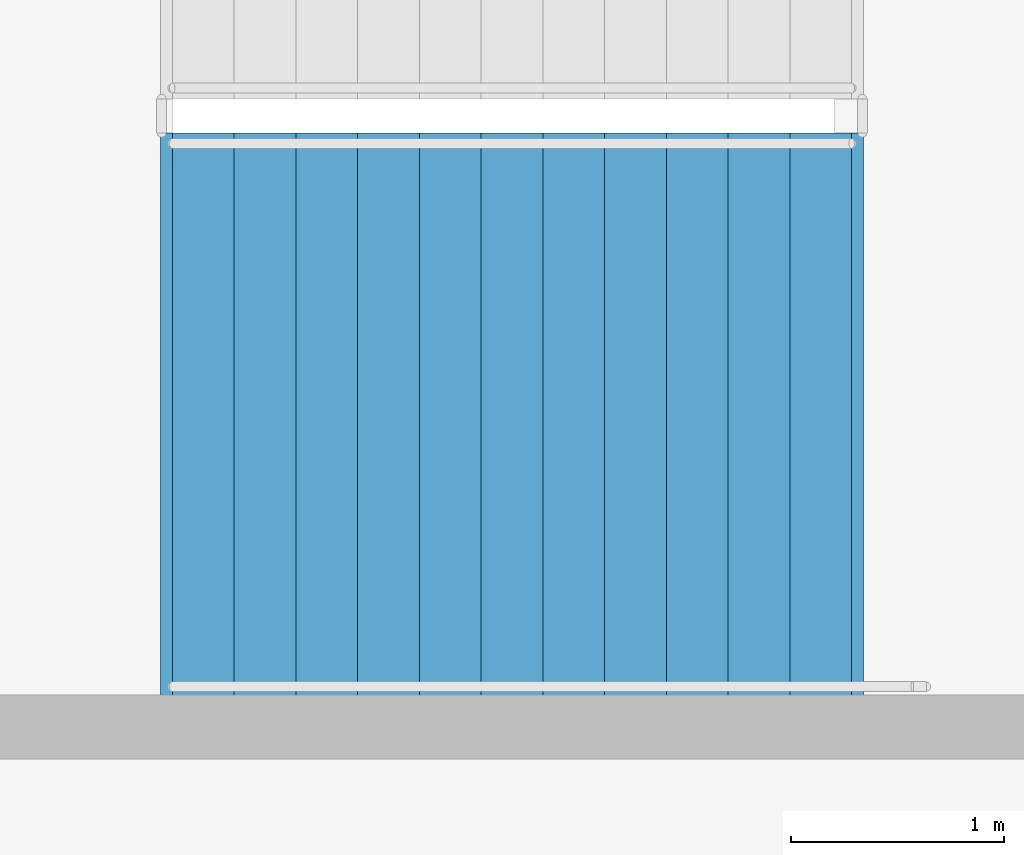
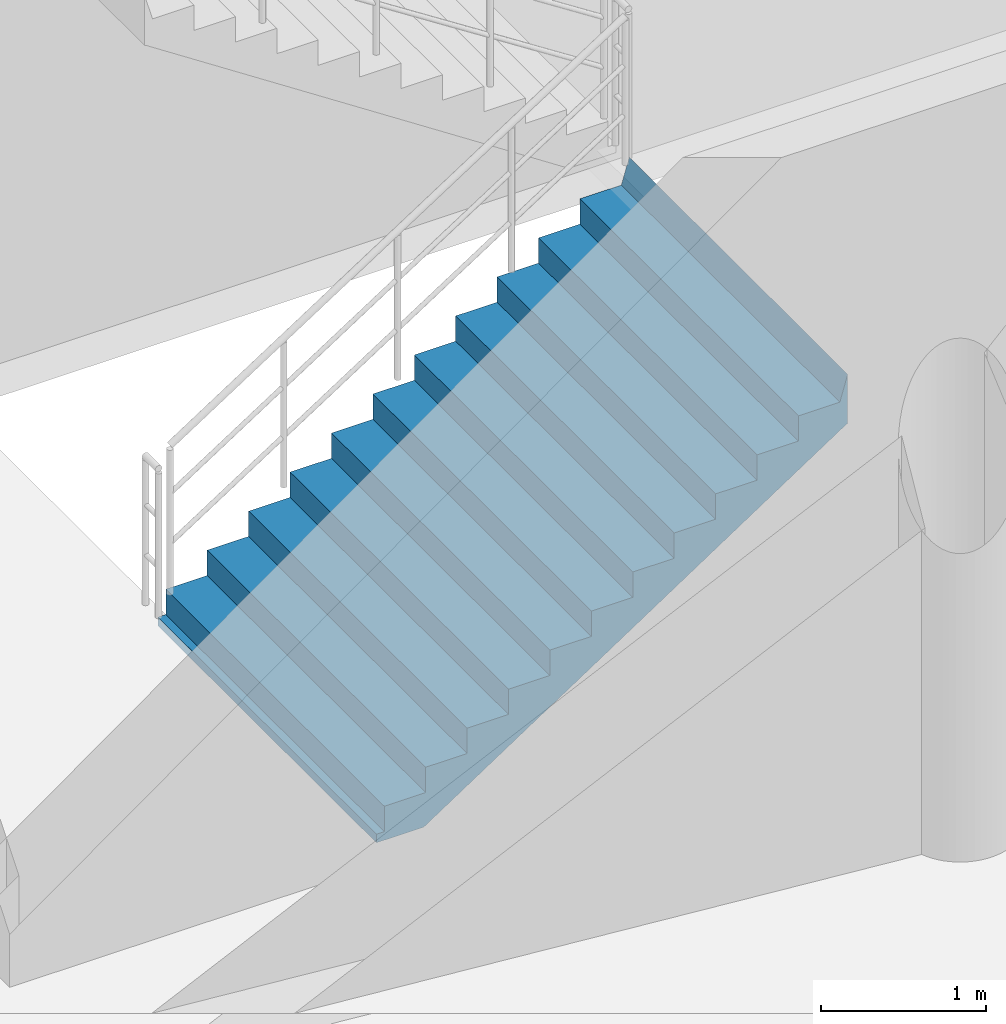
# One storey, part 92 of 112: 1 stair flight, 1 element without a shape of its own.
"""IFC4 building model written with IfcOpenShell, lengths in metres."""

from ifc_helpers import new_model, si_unit, direction, frame, origin, place, context, subcontext, project, spatial, polyline, outline, extrude, material, type_object, element, aggregate, save


model = new_model("IFC4")

# Units and contexts
model_context = context("Model", 3, precision=1e-05, world=origin(), true_north=direction((0.0, 1.0)))
body_context = subcontext(model_context, "Body", "Model", "MODEL_VIEW")
ifc_project = project(units=[si_unit("LENGTHUNIT", "METRE"), si_unit("AREAUNIT", "SQUARE_METRE"), si_unit("VOLUMEUNIT", "CUBIC_METRE"), si_unit("PLANEANGLEUNIT", "RADIAN"), si_unit("MASSUNIT", "GRAM", prefix="KILO")], contexts=[model_context])

# Site, building, storey
site_placement = place(None, origin())
site = spatial("IfcSite", under=ifc_project, at=site_placement, CompositionType="ELEMENT")
building_placement = place(site_placement, origin())
building = spatial("IfcBuilding", under=site, at=building_placement, Name="Cinderbank Siding Concert Hall", CompositionType="ELEMENT")
storey_placement = place(building_placement, frame((0.0, 0.0, 10.199951171875)))
storey = spatial("IfcBuildingStorey", under=building, at=storey_placement, Name="L03", CompositionType="ELEMENT", Elevation=10.199951171875)

# Stair, stair flight
ifc_material = material(Name="Reinforced concrete AS 3600 N50 (50 MPa)", Category="concrete")
stair_type = type_object("IfcStairType", Name="STR-A Dogleg Exit Stair 2650mm", PredefinedType="HALF_TURN_STAIR", material=ifc_material)
stair_placement = place(storey_placement, origin())
stair = element("IfcStair", 1, at=stair_placement, inside=storey, type_object=stair_type, Name="L03 Fire-isolated Exit Stair ST-02", PredefinedType="HALF_TURN_STAIR")
stair_flight_type = type_object("IfcStairFlightType", Name="SFL-A Concrete Stair Flight 2650mm", PredefinedType="STRAIGHT", material=ifc_material)
stair_flight_placement = place(storey_placement, frame((118.949951171875, 25.02490234375, 0.0), z_axis=(0.0, 0.0, 1.0), x_axis=(1.0, 0.0, 0.0)))
stair_flight = element("IfcStairFlight", 2, at=stair_flight_placement, type_object=stair_flight_type, Name="ST-02 flight 1", NumberOfRisers=12, NumberOfTreads=11, PredefinedType="STRAIGHT", RiserHeight=0.1875, TreadLength=0.29, context=body_context, shape_type="SweptSolid", body=[
    extrude(outline(polyline([(0.0, 0.0), (0.0, 0.1875), (0.2900390625, 0.1875), (0.2900390625, 0.375), (0.580078125, 0.375), (0.580078125, 0.5625), (0.8701171875, 0.5625), (0.8701171875, 0.75), (1.159912109375, 0.75), (1.159912109375, 0.9375), (1.449951171875, 0.9375), (1.449951171875, 1.125), (1.739990234375, 1.125), (1.739990234375, 1.3125), (2.030029296875, 1.3125), (2.030029296875, 1.5), (2.320068359375, 1.5), (2.320068359375, 1.6875), (2.610107421875, 1.6875), (2.610107421875, 1.875), (2.89990234375, 1.875), (2.89990234375, 2.0625), (3.18994140625, 2.0625), (3.244873046875, 2.25), (3.244873046875, 1.884033203125), (3.24462890625, 1.88427734375), (3.24462890625, 1.884521484375), (3.24462890625, 1.884765625), (3.24462890625, 1.885009765625), (3.24462890625, 1.88525390625), (3.24462890625, 1.885498046875), (3.24462890625, 1.8857421875), (3.24462890625, 1.885986328125), (3.24462890625, 1.88623046875), (3.24462890625, 1.886474609375), (3.24462890625, 1.88671875), (3.24462890625, 1.886962890625), (3.244384765625, 1.886962890625), (3.244384765625, 1.88671875), (3.244384765625, 1.886474609375), (3.244384765625, 1.88623046875), (3.244384765625, 1.885986328125), (3.244384765625, 1.8857421875), (3.244384765625, 1.885498046875), (3.244384765625, 1.88525390625), (3.244384765625, 1.885009765625), (3.244384765625, 1.884765625), (3.244384765625, 1.884521484375), (3.244384765625, 1.88427734375), (3.244384765625, 1.884033203125), (3.244140625, 1.88427734375), (3.244140625, 1.884521484375), (3.244140625, 1.884765625), (3.244140625, 1.885009765625), (3.244140625, 1.88525390625), (3.244140625, 1.885498046875), (3.244140625, 1.8857421875), (3.244140625, 1.885986328125), (3.244140625, 1.88623046875), (3.244140625, 1.886474609375), (3.244140625, 1.88671875), (3.244140625, 1.886962890625), (3.243896484375, 1.886962890625), (3.243896484375, 1.88671875), (3.243896484375, 1.886474609375), (3.243896484375, 1.88623046875), (3.243896484375, 1.885986328125), (3.243896484375, 1.8857421875), (3.243896484375, 1.885498046875), (3.243896484375, 1.88525390625), (3.243896484375, 1.885009765625), (3.243896484375, 1.884765625), (3.243896484375, 1.884521484375), (3.243896484375, 1.88427734375), (3.243896484375, 1.884033203125), (3.24365234375, 1.88427734375), (3.24365234375, 1.884521484375), (3.24365234375, 1.884765625), (3.24365234375, 1.885009765625), (3.24365234375, 1.88525390625), (3.24365234375, 1.885498046875), (3.24365234375, 1.8857421875), (3.24365234375, 1.885986328125), (3.24365234375, 1.88623046875), (3.24365234375, 1.886474609375), (3.24365234375, 1.88671875), (3.24365234375, 1.886962890625), (3.243408203125, 1.886962890625), (3.243408203125, 1.88671875), (3.243408203125, 1.886474609375), (3.243408203125, 1.88623046875), (3.243408203125, 1.885986328125), (3.243408203125, 1.8857421875), (3.243408203125, 1.885498046875), (3.243408203125, 1.88525390625), (3.243408203125, 1.885009765625), (3.243408203125, 1.884765625), (3.243408203125, 1.884521484375), (3.243408203125, 1.88427734375), (3.243408203125, 1.884033203125), (3.2431640625, 1.88427734375), (3.2431640625, 1.884521484375), (3.2431640625, 1.884765625), (3.2431640625, 1.885009765625), (3.2431640625, 1.88525390625), (3.2431640625, 1.885498046875), (3.2431640625, 1.8857421875), (3.2431640625, 1.885986328125), (3.2431640625, 1.88623046875), (3.2431640625, 1.886474609375), (3.2431640625, 1.88671875), (3.2431640625, 1.886962890625), (3.242919921875, 1.886962890625), (3.242919921875, 1.88671875), (3.242919921875, 1.886474609375), (3.242919921875, 1.88623046875), (3.242919921875, 1.885986328125), (3.242919921875, 1.8857421875), (3.242919921875, 1.885498046875), (3.242919921875, 1.88525390625), (3.242919921875, 1.885009765625), (3.242919921875, 1.884765625), (3.242919921875, 1.884521484375), (3.242919921875, 1.88427734375), (3.242919921875, 1.884033203125), (3.24267578125, 1.88427734375), (3.24267578125, 1.884521484375), (3.24267578125, 1.884765625), (3.24267578125, 1.885009765625), (3.24267578125, 1.88525390625), (3.24267578125, 1.885498046875), (3.24267578125, 1.8857421875), (3.24267578125, 1.885986328125), (3.24267578125, 1.88623046875), (3.24267578125, 1.886474609375), (3.24267578125, 1.88671875), (3.24267578125, 1.886962890625), (3.242431640625, 1.886962890625), (3.242431640625, 1.88671875), (3.242431640625, 1.886474609375), (3.242431640625, 1.88623046875), (3.242431640625, 1.885986328125), (3.242431640625, 1.8857421875), (3.242431640625, 1.885498046875), (3.242431640625, 1.88525390625), (3.242431640625, 1.885009765625), (3.242431640625, 1.884765625), (3.242431640625, 1.884521484375), (3.242431640625, 1.88427734375), (3.242431640625, 1.884033203125), (3.2421875, 1.88427734375), (3.2421875, 1.884521484375), (3.2421875, 1.884765625), (3.2421875, 1.885009765625), (3.2421875, 1.88525390625), (3.2421875, 1.885498046875), (3.2421875, 1.8857421875), (3.2421875, 1.885986328125), (3.2421875, 1.88623046875), (3.2421875, 1.886474609375), (3.2421875, 1.88671875), (3.2421875, 1.886962890625), (3.241943359375, 1.886962890625), (3.241943359375, 1.88671875), (3.241943359375, 1.886474609375), (3.241943359375, 1.88623046875), (3.241943359375, 1.885986328125), (3.241943359375, 1.8857421875), (3.241943359375, 1.885498046875), (3.241943359375, 1.88525390625), (3.241943359375, 1.885009765625), (3.241943359375, 1.884765625), (3.241943359375, 1.884521484375), (3.241943359375, 1.88427734375), (3.241943359375, 1.884033203125), (3.24169921875, 1.88427734375), (3.24169921875, 1.884521484375), (3.24169921875, 1.884765625), (3.24169921875, 1.885009765625), (3.24169921875, 1.88525390625), (3.24169921875, 1.885498046875), (3.24169921875, 1.8857421875), (3.24169921875, 1.885986328125), (3.24169921875, 1.88623046875), (3.24169921875, 1.886474609375), (3.24169921875, 1.88671875), (3.24169921875, 1.886962890625), (3.241455078125, 1.886962890625), (3.241455078125, 1.88671875), (3.241455078125, 1.886474609375), (3.241455078125, 1.88623046875), (3.241455078125, 1.885986328125), (3.241455078125, 1.8857421875), (3.241455078125, 1.885498046875), (3.241455078125, 1.88525390625), (3.241455078125, 1.885009765625), (3.241455078125, 1.884765625), (3.241455078125, 1.884521484375), (3.241455078125, 1.88427734375), (3.241455078125, 1.884033203125), (3.2412109375, 1.88427734375), (3.2412109375, 1.884521484375), (3.2412109375, 1.884765625), (3.2412109375, 1.885009765625), (3.2412109375, 1.88525390625), (3.2412109375, 1.885498046875), (3.2412109375, 1.8857421875), (3.2412109375, 1.885986328125), (3.2412109375, 1.88623046875), (3.2412109375, 1.886474609375), (3.2412109375, 1.88671875), (3.2412109375, 1.886962890625), (3.240966796875, 1.886962890625), (3.240966796875, 1.88671875), (3.240966796875, 1.886474609375), (3.240966796875, 1.88623046875), (3.240966796875, 1.885986328125), (3.240966796875, 1.8857421875), (3.240966796875, 1.885498046875), (3.240966796875, 1.88525390625), (3.240966796875, 1.885009765625), (3.240966796875, 1.884765625), (3.240966796875, 1.884521484375), (3.240966796875, 1.88427734375), (3.240966796875, 1.884033203125), (3.24072265625, 1.88427734375), (3.24072265625, 1.884521484375), (3.24072265625, 1.884765625), (3.24072265625, 1.885009765625), (3.24072265625, 1.88525390625), (3.24072265625, 1.885498046875), (3.24072265625, 1.8857421875), (3.24072265625, 1.885986328125), (3.24072265625, 1.88623046875), (3.24072265625, 1.886474609375), (3.24072265625, 1.88671875), (3.24072265625, 1.886962890625), (3.240478515625, 1.886962890625), (3.240478515625, 1.88671875), (3.240478515625, 1.886474609375), (3.240478515625, 1.88623046875), (3.240478515625, 1.885986328125), (3.240478515625, 1.8857421875), (3.240478515625, 1.885498046875), (3.240478515625, 1.88525390625), (3.240478515625, 1.885009765625), (3.240478515625, 1.884765625), (3.240478515625, 1.884521484375), (3.240478515625, 1.88427734375), (3.240478515625, 1.884033203125), (3.240234375, 1.88427734375), (3.240234375, 1.884521484375), (3.240234375, 1.884765625), (3.240234375, 1.885009765625), (3.240234375, 1.88525390625), (3.240234375, 1.885498046875), (3.240234375, 1.8857421875), (3.240234375, 1.885986328125), (3.240234375, 1.88623046875), (3.240234375, 1.886474609375), (3.240234375, 1.88671875), (3.240234375, 1.886962890625), (3.239990234375, 1.886962890625), (3.239990234375, 1.88671875), (3.239990234375, 1.886474609375), (3.239990234375, 1.88623046875), (3.239990234375, 1.885986328125), (3.239990234375, 1.8857421875), (3.239990234375, 1.885498046875), (3.239990234375, 1.88525390625), (3.239990234375, 1.885009765625), (3.239990234375, 1.884765625), (3.239990234375, 1.884521484375), (3.239990234375, 1.88427734375), (3.239990234375, 1.884033203125), (3.23974609375, 1.88427734375), (3.23974609375, 1.884521484375), (3.23974609375, 1.884765625), (3.23974609375, 1.885009765625), (3.23974609375, 1.88525390625), (3.23974609375, 1.885498046875), (3.23974609375, 1.8857421875), (3.23974609375, 1.885986328125), (3.23974609375, 1.88623046875), (3.23974609375, 1.886474609375), (3.23974609375, 1.88671875), (3.23974609375, 1.886962890625), (3.239501953125, 1.886962890625), (3.239501953125, 1.88671875), (3.239501953125, 1.886474609375), (3.239501953125, 1.88623046875), (3.239501953125, 1.885986328125), (3.239501953125, 1.8857421875), (3.239501953125, 1.885498046875), (3.239501953125, 1.88525390625), (3.239501953125, 1.885009765625), (3.239501953125, 1.884765625), (3.239501953125, 1.884521484375), (3.239501953125, 1.88427734375), (3.239501953125, 1.884033203125), (3.2392578125, 1.88427734375), (3.2392578125, 1.884521484375), (3.2392578125, 1.884765625), (3.2392578125, 1.885009765625), (3.2392578125, 1.88525390625), (3.2392578125, 1.885498046875), (3.2392578125, 1.8857421875), (3.2392578125, 1.885986328125), (3.2392578125, 1.88623046875), (3.2392578125, 1.886474609375), (3.2392578125, 1.88671875), (3.2392578125, 1.886962890625), (3.239013671875, 1.886962890625), (3.239013671875, 1.88671875), (3.239013671875, 1.886474609375), (3.239013671875, 1.88623046875), (3.239013671875, 1.885986328125), (3.239013671875, 1.8857421875), (3.239013671875, 1.885498046875), (3.239013671875, 1.88525390625), (3.239013671875, 1.885009765625), (3.239013671875, 1.884765625), (3.239013671875, 1.884521484375), (3.239013671875, 1.88427734375), (3.239013671875, 1.884033203125), (3.23876953125, 1.88427734375), (3.23876953125, 1.884521484375), (3.23876953125, 1.884765625), (3.23876953125, 1.885009765625), (3.23876953125, 1.88525390625), (3.23876953125, 1.885498046875), (3.23876953125, 1.8857421875), (3.23876953125, 1.885986328125), (3.23876953125, 1.88623046875), (3.23876953125, 1.886474609375), (3.23876953125, 1.88671875), (3.23876953125, 1.886962890625), (3.238525390625, 1.886962890625), (3.238525390625, 1.88671875), (3.238525390625, 1.886474609375), (3.238525390625, 1.88623046875), (3.238525390625, 1.885986328125), (3.238525390625, 1.8857421875), (3.238525390625, 1.885498046875), (3.238525390625, 1.88525390625), (3.238525390625, 1.885009765625), (3.238525390625, 1.884765625), (3.238525390625, 1.884521484375), (3.238525390625, 1.88427734375), (3.238525390625, 1.884033203125), (0.276123046875, -0.06396484375), (-0.048583984375, -0.063720703125), (-0.048583984375, -0.0634765625), (-0.048583984375, -0.063232421875), (-0.048583984375, -0.06298828125), (-0.048583984375, -0.062744140625), (-0.048583984375, -0.0625), (-0.048583984375, -0.062255859375), (-0.048583984375, -0.06201171875), (-0.048583984375, -0.061767578125), (-0.048583984375, -0.0615234375), (-0.048583984375, -0.061279296875), (-0.048583984375, -0.06103515625), (-0.048828125, -0.06103515625), (-0.048828125, -0.061279296875), (-0.048828125, -0.0615234375), (-0.048828125, -0.061767578125), (-0.048828125, -0.06201171875), (-0.048828125, -0.062255859375), (-0.048828125, -0.0625), (-0.048828125, -0.062744140625), (-0.048828125, -0.06298828125), (-0.048828125, -0.063232421875), (-0.048828125, -0.0634765625), (-0.048828125, -0.063720703125), (-0.048828125, -0.06396484375), (-0.049072265625, -0.063720703125), (-0.049072265625, -0.0634765625), (-0.049072265625, -0.063232421875), (-0.049072265625, -0.06298828125), (-0.049072265625, -0.062744140625), (-0.049072265625, -0.0625), (-0.049072265625, -0.062255859375), (-0.049072265625, -0.06201171875), (-0.049072265625, -0.061767578125), (-0.049072265625, -0.0615234375), (-0.049072265625, -0.061279296875), (-0.049072265625, -0.06103515625), (-0.04931640625, -0.06103515625), (-0.04931640625, -0.061279296875), (-0.04931640625, -0.0615234375), (-0.04931640625, -0.061767578125), (-0.04931640625, -0.06201171875), (-0.04931640625, -0.062255859375), (-0.04931640625, -0.0625), (-0.04931640625, -0.062744140625), (-0.04931640625, -0.06298828125), (-0.04931640625, -0.063232421875), (-0.04931640625, -0.0634765625), (-0.04931640625, -0.063720703125), (-0.04931640625, -0.06396484375), (-0.049560546875, -0.063720703125), (-0.049560546875, -0.0634765625), (-0.049560546875, -0.063232421875), (-0.049560546875, -0.06298828125), (-0.049560546875, -0.062744140625), (-0.049560546875, -0.0625), (-0.049560546875, -0.062255859375), (-0.049560546875, -0.06201171875), (-0.049560546875, -0.061767578125), (-0.049560546875, -0.0615234375), (-0.049560546875, -0.061279296875), (-0.049560546875, -0.06103515625), (-0.0498046875, -0.06103515625), (-0.0498046875, -0.061279296875), (-0.0498046875, -0.0615234375), (-0.0498046875, -0.061767578125), (-0.0498046875, -0.06201171875), (-0.0498046875, -0.062255859375), (-0.0498046875, -0.0625), (-0.0498046875, -0.062744140625), (-0.0498046875, -0.06298828125), (-0.0498046875, -0.063232421875), (-0.0498046875, -0.0634765625), (-0.0498046875, -0.063720703125), (-0.0498046875, -0.06396484375), (-0.050048828125, -0.063720703125), (-0.050048828125, -0.0634765625), (-0.050048828125, -0.063232421875), (-0.050048828125, -0.06298828125), (-0.050048828125, -0.062744140625), (-0.050048828125, -0.0625), (-0.050048828125, -0.062255859375), (-0.050048828125, -0.06201171875), (-0.050048828125, -0.061767578125), (-0.050048828125, -0.0615234375), (-0.050048828125, -0.061279296875), (-0.050048828125, -0.06103515625), (-0.05029296875, -0.06103515625), (-0.05029296875, -0.061279296875), (-0.05029296875, -0.0615234375), (-0.05029296875, -0.061767578125), (-0.05029296875, -0.06201171875), (-0.05029296875, -0.062255859375), (-0.05029296875, -0.0625), (-0.05029296875, -0.062744140625), (-0.05029296875, -0.06298828125), (-0.05029296875, -0.063232421875), (-0.05029296875, -0.0634765625), (-0.05029296875, -0.063720703125), (-0.05029296875, -0.06396484375), (-0.050537109375, -0.063720703125), (-0.050537109375, -0.0634765625), (-0.050537109375, -0.063232421875), (-0.050537109375, -0.06298828125), (-0.050537109375, -0.062744140625), (-0.050537109375, -0.0625), (-0.050537109375, -0.062255859375), (-0.050537109375, -0.06201171875), (-0.050537109375, -0.061767578125), (-0.050537109375, -0.0615234375), (-0.050537109375, -0.061279296875), (-0.050537109375, -0.06103515625), (-0.05078125, -0.06103515625), (-0.05078125, -0.061279296875), (-0.05078125, -0.0615234375), (-0.05078125, -0.061767578125), (-0.05078125, -0.06201171875), (-0.05078125, -0.062255859375), (-0.05078125, -0.0625), (-0.05078125, -0.062744140625), (-0.05078125, -0.06298828125), (-0.05078125, -0.063232421875), (-0.05078125, -0.0634765625), (-0.05078125, -0.063720703125), (-0.05078125, -0.06396484375), (-0.051025390625, -0.063720703125), (-0.051025390625, -0.0634765625), (-0.051025390625, -0.063232421875), (-0.051025390625, -0.06298828125), (-0.051025390625, -0.062744140625), (-0.051025390625, -0.0625), (-0.051025390625, -0.062255859375), (-0.051025390625, -0.06201171875), (-0.051025390625, -0.061767578125), (-0.051025390625, -0.0615234375), (-0.051025390625, -0.061279296875), (-0.051025390625, -0.06103515625), (-0.05126953125, -0.06103515625), (-0.05126953125, -0.061279296875), (-0.05126953125, -0.0615234375), (-0.05126953125, -0.061767578125), (-0.05126953125, -0.06201171875), (-0.05126953125, -0.062255859375), (-0.05126953125, -0.0625), (-0.05126953125, -0.062744140625), (-0.05126953125, -0.06298828125), (-0.05126953125, -0.063232421875), (-0.05126953125, -0.0634765625), (-0.05126953125, -0.063720703125), (-0.05126953125, -0.06396484375), (-0.051513671875, -0.063720703125), (-0.051513671875, -0.0634765625), (-0.051513671875, -0.063232421875), (-0.051513671875, -0.06298828125), (-0.051513671875, -0.062744140625), (-0.051513671875, -0.0625), (-0.051513671875, -0.062255859375), (-0.051513671875, -0.06201171875), (-0.051513671875, -0.061767578125), (-0.051513671875, -0.0615234375), (-0.051513671875, -0.061279296875), (-0.051513671875, -0.06103515625), (-0.0517578125, -0.06103515625), (-0.0517578125, -0.061279296875), (-0.0517578125, -0.0615234375), (-0.0517578125, -0.061767578125), (-0.0517578125, -0.06201171875), (-0.0517578125, -0.062255859375), (-0.0517578125, -0.0625), (-0.0517578125, -0.062744140625), (-0.0517578125, -0.06298828125), (-0.0517578125, -0.063232421875), (-0.0517578125, -0.0634765625), (-0.0517578125, -0.063720703125), (-0.0517578125, -0.06396484375), (-0.052001953125, -0.063720703125), (-0.052001953125, -0.0634765625), (-0.052001953125, -0.063232421875), (-0.052001953125, -0.06298828125), (-0.052001953125, -0.062744140625), (-0.052001953125, -0.0625), (-0.052001953125, -0.062255859375), (-0.052001953125, -0.06201171875), (-0.052001953125, -0.061767578125), (-0.052001953125, -0.0615234375), (-0.052001953125, -0.061279296875), (-0.052001953125, -0.06103515625), (-0.05224609375, -0.06103515625), (-0.05224609375, -0.061279296875), (-0.05224609375, -0.0615234375), (-0.05224609375, -0.061767578125), (-0.05224609375, -0.06201171875), (-0.05224609375, -0.062255859375), (-0.05224609375, -0.0625), (-0.05224609375, -0.062744140625), (-0.05224609375, -0.06298828125), (-0.05224609375, -0.063232421875), (-0.05224609375, -0.0634765625), (-0.05224609375, -0.063720703125), (-0.05224609375, -0.06396484375), (-0.052490234375, -0.063720703125), (-0.052490234375, -0.0634765625), (-0.052490234375, -0.063232421875), (-0.052490234375, -0.06298828125), (-0.052490234375, -0.062744140625), (-0.052490234375, -0.0625), (-0.052490234375, -0.062255859375), (-0.052490234375, -0.06201171875), (-0.052490234375, -0.061767578125), (-0.052490234375, -0.0615234375), (-0.052490234375, -0.061279296875), (-0.052490234375, -0.06103515625), (-0.052734375, -0.06103515625), (-0.052734375, -0.061279296875), (-0.052734375, -0.0615234375), (-0.052734375, -0.061767578125), (-0.052734375, -0.06201171875), (-0.052734375, -0.062255859375), (-0.052734375, -0.0625), (-0.052734375, -0.062744140625), (-0.052734375, -0.06298828125), (-0.052734375, -0.063232421875), (-0.052734375, -0.0634765625), (-0.052734375, -0.063720703125), (-0.052734375, -0.06396484375), (-0.052978515625, -0.063720703125), (-0.052978515625, -0.0634765625), (-0.052978515625, -0.063232421875), (-0.052978515625, -0.06298828125), (-0.052978515625, -0.062744140625), (-0.052978515625, -0.0625), (-0.052978515625, -0.062255859375), (-0.052978515625, -0.06201171875), (-0.052978515625, -0.061767578125), (-0.052978515625, -0.0615234375), (-0.052978515625, -0.061279296875), (-0.052978515625, -0.06103515625), (-0.05322265625, -0.06103515625), (-0.05322265625, -0.061279296875), (-0.05322265625, -0.0615234375), (-0.05322265625, -0.061767578125), (-0.05322265625, -0.06201171875), (-0.05322265625, -0.062255859375), (-0.05322265625, -0.0625), (-0.05322265625, -0.062744140625), (-0.05322265625, -0.06298828125), (-0.05322265625, -0.063232421875), (-0.05322265625, -0.0634765625), (-0.05322265625, -0.063720703125), (-0.05322265625, -0.06396484375), (-0.053466796875, -0.063720703125), (-0.053466796875, -0.0634765625), (-0.053466796875, -0.063232421875), (-0.053466796875, -0.06298828125), (-0.053466796875, -0.062744140625), (-0.053466796875, -0.0625), (-0.053466796875, -0.062255859375), (-0.053466796875, -0.06201171875), (-0.053466796875, -0.061767578125), (-0.053466796875, -0.0615234375), (-0.053466796875, -0.061279296875), (-0.053466796875, -0.06103515625), (-0.0537109375, -0.06103515625), (-0.0537109375, -0.061279296875), (-0.0537109375, -0.0615234375), (-0.0537109375, -0.061767578125), (-0.0537109375, -0.06201171875), (-0.0537109375, -0.062255859375), (-0.0537109375, -0.0625), (-0.0537109375, -0.062744140625), (-0.0537109375, -0.06298828125), (-0.0537109375, -0.063232421875), (-0.0537109375, -0.0634765625), (-0.0537109375, -0.063720703125), (-0.0537109375, -0.06396484375), (-0.053955078125, -0.063720703125), (-0.053955078125, -0.0634765625), (-0.053955078125, -0.063232421875), (-0.053955078125, -0.06298828125), (-0.053955078125, -0.062744140625), (-0.053955078125, -0.0625), (-0.053955078125, -0.062255859375), (-0.053955078125, -0.06201171875), (-0.053955078125, -0.061767578125), (-0.053955078125, -0.0615234375), (-0.053955078125, -0.061279296875), (-0.053955078125, -0.06103515625), (-0.05419921875, -0.06103515625), (-0.05419921875, -0.061279296875), (-0.05419921875, -0.0615234375), (-0.05419921875, -0.061767578125), (-0.05419921875, -0.06201171875), (-0.05419921875, -0.062255859375), (-0.05419921875, -0.0625), (-0.05419921875, -0.062744140625), (-0.05419921875, -0.06298828125), (-0.05419921875, -0.063232421875), (-0.05419921875, -0.0634765625), (-0.05419921875, -0.063720703125), (-0.05419921875, -0.06396484375), (-0.054443359375, -0.063720703125), (-0.054443359375, -0.0634765625), (-0.054443359375, -0.063232421875), (-0.054443359375, -0.06298828125), (-0.054443359375, -0.062744140625), (-0.054443359375, -0.0625), (-0.054443359375, -0.062255859375), (-0.054443359375, -0.06201171875), (-0.054443359375, -0.061767578125), (-0.054443359375, -0.0615234375), (-0.054443359375, -0.061279296875), (-0.054443359375, -0.06103515625), (-0.0546875, -0.06103515625), (-0.0546875, -0.061279296875), (-0.0546875, -0.0615234375), (-0.0546875, -0.061767578125), (-0.0546875, -0.06201171875), (-0.0546875, -0.062255859375), (-0.0546875, -0.0625), (-0.0546875, -0.062744140625), (-0.0546875, -0.06298828125), (-0.0546875, -0.063232421875), (-0.0546875, -0.0634765625), (-0.0546875, -0.063720703125), (-0.0546875, -0.06396484375), (-0.054931640625, -0.06396484375), (-0.054931640625, 0.0), (0.0, 0.0)])), frame((0.0, 1.324951171875, 0.0), z_axis=(0.0, -1.0, 0.0), x_axis=(1.0, 0.0, 0.0)), (0.0, 0.0, 1.0), 2.64990234375),
])
aggregate(stair, [stair_flight])

save(model, "model.ifc")
